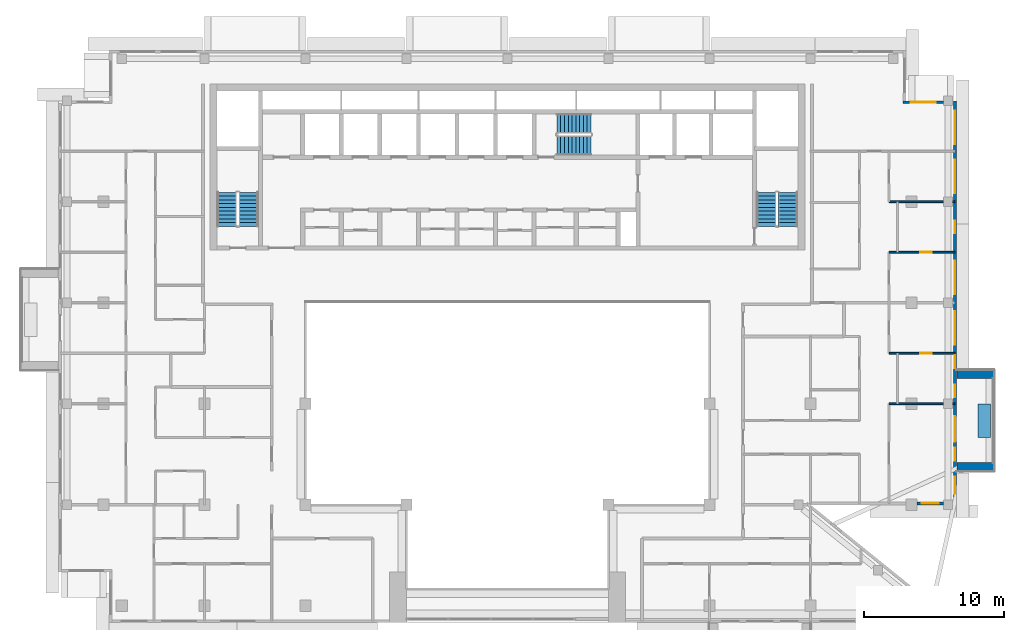
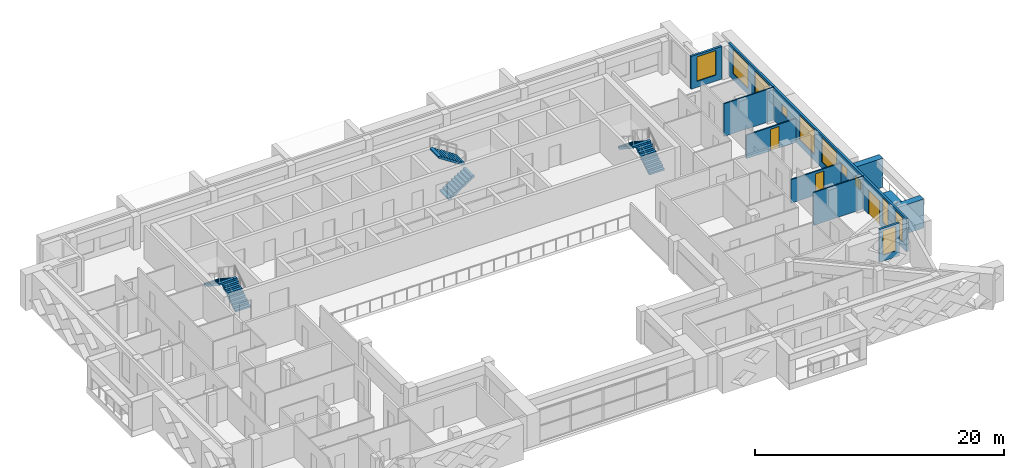
# One storey, part 12 of 19: 11 windows, 10 walls, 6 stair flights, 3 doors, 14 openings, 3 elements without a shape of their own.
"""IFC4 building model written with IfcOpenShell, lengths in metres."""

from ifc_helpers import new_model, si_unit, direction, frame, frame_2d, origin, place, context, subcontext, project, spatial, polyline, rectangle, outline, extrude, material, layer, layer_set, type_object, element, fill, aggregate, save


model = new_model("IFC4")

# Units and contexts
model_context = context("Model", 3, precision=1e-05, world=origin(), true_north=direction((0.0, 1.0)))
body_context = subcontext(model_context, "Body", "Model", "MODEL_VIEW")
ifc_project = project(units=[si_unit("LENGTHUNIT", "METRE"), si_unit("AREAUNIT", "SQUARE_METRE"), si_unit("VOLUMEUNIT", "CUBIC_METRE"), si_unit("PLANEANGLEUNIT", "RADIAN"), si_unit("MASSUNIT", "GRAM", prefix="KILO")], contexts=[model_context])

# Site, building, storey
site_placement = place(None, origin())
site = spatial("IfcSite", under=ifc_project, at=site_placement, CompositionType="ELEMENT")
building_placement = place(site_placement, origin())
building = spatial("IfcBuilding", under=site, at=building_placement, Name="Saffron Iwan Residences", CompositionType="ELEMENT")
storey_placement = place(building_placement, frame((0.0, 0.0, 232.5)))
storey = spatial("IfcBuildingStorey", under=building, at=storey_placement, Name="L62", CompositionType="ELEMENT", Elevation=232.5)

# Walls
ifc_material_1 = material(Name="Concrete C50/60 white painted", Category="concrete")
ifc_layer_1 = layer(ifc_material_1, 0.60009765625)
ifc_layer_set_1 = layer_set([ifc_layer_1], Name="Concrete C50/60 white painted")
wall_type_1 = type_object("IfcWallType", Name="BALCONY FIN 600", PredefinedType="SOLIDWALL", material=ifc_layer_set_1)
for number, where, z_axis, x_axis, name in (
    (1, (82.449951171875, 50.699951171875, 0.0), (0.0, 0.0, 1.0), (1.0, 0.0, 0.0), "Balcony fin L62 F2-0a"),
    (2, (82.449951171875, 57.300048828125, 0.0), (0.0, 0.0, 1.0), (1.0, 0.0, 0.0), "Balcony fin L62 F2-0b"),
):
    element("IfcWall", number, at=place(storey_placement, frame(where, z_axis=z_axis, x_axis=x_axis)), inside=storey, type_object=wall_type_1, Name=name, PredefinedType="SOLIDWALL", context=body_context, shape_type="SweptSolid", body=[
        extrude(rectangle(XDim=2.650146484375, YDim=0.60009765625, at=frame_2d((1.3251953125, 0.0))), origin(), (0.0, 0.0, 1.0), 2.85009765625),
    ])
ifc_material_2 = material(Name="Concrete C35/45 white painted", Category="concrete")
ifc_layer_2 = layer(ifc_material_2, 0.14990234375)
ifc_layer_set_2 = layer_set([ifc_layer_2], Name="Concrete C35/45 white painted")
wall_type_2 = type_object("IfcWallType", Name="BALCONY PLANTER", PredefinedType="SOLIDWALL", material=ifc_layer_set_2)
wall_1_placement = place(storey_placement, frame((84.375, 52.800048828125, 0.0), z_axis=(0.0, 0.0, 1.0), x_axis=(0.0, 1.0, 0.0)))
element("IfcWall", 3, at=wall_1_placement, inside=storey, type_object=wall_type_2, Name="PLANTER L62 F2-0", PredefinedType="SOLIDWALL", context=body_context, shape_type="SweptSolid", body=[
    extrude(rectangle(XDim=2.39990234375, YDim=0.89990234375, at=frame_2d((1.199951171875, 0.0))), origin(), (0.0, 0.0, 1.0), 0.89990234375),
])

# Wall, opening, window
ifc_material_3 = material(Name="Concrete C40/50", Category="concrete")
ifc_layer_3 = layer(ifc_material_3, 0.199951171875)
ifc_layer_set_3 = layer_set([ifc_layer_3], Name="Concrete C40/50")
wall_type_3 = type_object("IfcWallType", Name="EXTERNAL WALL 200", PredefinedType="SOLIDWALL", material=ifc_layer_set_3)
wall_2_placement = place(storey_placement, frame((79.60009765625, 48.10009765625, 0.0), z_axis=(0.0, 0.0, 1.0), x_axis=(1.0, 0.0, 0.0)))
wall_2 = element("IfcWall", 4, at=wall_2_placement, inside=storey, type_object=wall_type_3, Name="External wall L62 F1.1", PredefinedType="SOLIDWALL", context=body_context, shape_type="SweptSolid", body=[
    extrude(rectangle(XDim=1.875, YDim=0.199951171875, at=frame_2d((0.9375, 0.0))), origin(), (0.0, 0.0, 1.0), 3.219970703125),
])
opening_1_placement = place(wall_2_placement, frame((0.33740234375, 0.0, 0.60009765625)))
opening_1 = element("IfcOpeningElement", 5, at=opening_1_placement, cuts=wall_2, Name="Opening W3", PredefinedType="OPENING", context=body_context, shape_type="SweptSolid", body=[
    extrude(rectangle(XDim=1.199951171875, YDim=2.39990234375, at=frame_2d((0.60009765625, 1.199951171875))), frame((0.0, 0.10986328125, 0.0), z_axis=(0.0, -1.0, 0.0), x_axis=(1.0, 0.0, 0.0)), (0.0, 0.0, 1.0), 0.219970703125),
])
ifc_material_4 = material(Name="Clear glass, laminated double glazed", Category="glass")
window_type_1 = type_object("IfcWindowType", Name="WINDOW 1200 x 2400", PartitioningType="SINGLE_PANEL", PredefinedType="WINDOW", material=ifc_material_4)
window_1_placement = place(opening_1_placement, origin())
window_1 = element("IfcWindow", 6, at=window_1_placement, inside=storey, type_object=window_type_1, Name="Window L62 F1.0", OverallHeight=2.39990234375, OverallWidth=1.199951171875, PartitioningType="SINGLE_PANEL", PredefinedType="WINDOW", context=body_context, shape_type="SweptSolid", body=[
    extrude(rectangle(XDim=1.199951171875, YDim=2.39990234375, at=frame_2d((0.60009765625, 1.199951171875))), frame((0.0, 0.030029296875, 0.0), z_axis=(0.0, -1.0, 0.0), x_axis=(1.0, 0.0, 0.0)), (0.0, 0.0, 1.0), 0.06005859375),
])
fill(opening_1, window_1)

# Wall, openings, door, windows
wall_3_placement = place(storey_placement, frame((82.300048828125, 48.199951171875, 0.0), z_axis=(0.0, 0.0, 1.0), x_axis=(0.0, 1.0, 0.0)))
wall_3 = element("IfcWall", 7, at=wall_3_placement, inside=storey, type_object=wall_type_3, Name="External wall L62 F2.0", PredefinedType="SOLIDWALL", context=body_context, shape_type="SweptSolid", body=[
    extrude(rectangle(XDim=28.60009765625, YDim=0.199951171875, at=frame_2d((14.300048828125, 0.0))), origin(), (0.0, 0.0, 1.0), 3.219970703125),
])
opening_2_placement = place(wall_3_placement, frame((4.300048828125, 0.0, 0.0)))
opening_2 = element("IfcOpeningElement", 8, at=opening_2_placement, cuts=wall_3, Name="Opening BD1", PredefinedType="OPENING", context=body_context, shape_type="SweptSolid", body=[
    extrude(rectangle(XDim=1.800048828125, YDim=2.39990234375, at=frame_2d((0.89990234375, 1.199951171875))), frame((0.0, 0.10986328125, 0.0), z_axis=(0.0, -1.0, 0.0), x_axis=(1.0, 0.0, 0.0)), (0.0, 0.0, 1.0), 0.219970703125),
])
opening_3_placement = place(wall_3_placement, frame((0.60009765625, 0.0, 0.60009765625)))
opening_3 = element("IfcOpeningElement", 9, at=opening_3_placement, cuts=wall_3, Name="Opening W3", PredefinedType="OPENING", context=body_context, shape_type="SweptSolid", body=[
    extrude(rectangle(XDim=1.199951171875, YDim=2.39990234375, at=frame_2d((0.60009765625, 1.199951171875))), frame((0.0, 0.10986328125, 0.0), z_axis=(0.0, -1.0, 0.0), x_axis=(1.0, 0.0, 0.0)), (0.0, 0.0, 1.0), 0.219970703125),
])
opening_4_placement = place(wall_3_placement, frame((2.949951171875, 0.0, 0.60009765625)))
opening_4 = element("IfcOpeningElement", 10, at=opening_4_placement, cuts=wall_3, Name="Opening W10", PredefinedType="OPENING", context=body_context, shape_type="SweptSolid", body=[
    extrude(rectangle(XDim=0.89990234375, YDim=2.39990234375, at=frame_2d((0.449951171875, 1.199951171875))), frame((0.0, 0.10986328125, 0.0), z_axis=(0.0, -1.0, 0.0), x_axis=(1.0, 0.0, 0.0)), (0.0, 0.0, 1.0), 0.219970703125),
])
opening_5_placement = place(wall_3_placement, frame((11.199951171875, 0.0, 0.60009765625)))
opening_5 = element("IfcOpeningElement", 11, at=opening_5_placement, cuts=wall_3, Name="Opening W1", PredefinedType="OPENING", context=body_context, shape_type="SweptSolid", body=[
    extrude(rectangle(XDim=2.39990234375, YDim=2.39990234375, at=frame_2d((1.199951171875, 1.199951171875))), frame((0.0, 0.10986328125, 0.0), z_axis=(0.0, -1.0, 0.0), x_axis=(1.0, 0.0, 0.0)), (0.0, 0.0, 1.0), 0.219970703125),
])
opening_6_placement = place(wall_3_placement, frame((7.449951171875, 0.0, 1.5)))
opening_6 = element("IfcOpeningElement", 12, at=opening_6_placement, cuts=wall_3, Name="Opening W6", PredefinedType="OPENING", context=body_context, shape_type="SweptSolid", body=[
    extrude(rectangle(XDim=0.89990234375, YDim=0.89990234375, at=frame_2d((0.449951171875, 0.449951171875))), frame((0.0, 0.10986328125, 0.0), z_axis=(0.0, -1.0, 0.0), x_axis=(1.0, 0.0, 0.0)), (0.0, 0.0, 1.0), 0.219970703125),
])
opening_7_placement = place(wall_3_placement, frame((9.550048828125, 0.0, 1.5)))
opening_7 = element("IfcOpeningElement", 13, at=opening_7_placement, cuts=wall_3, Name="Opening W6", PredefinedType="OPENING", context=body_context, shape_type="SweptSolid", body=[
    extrude(rectangle(XDim=0.89990234375, YDim=0.89990234375, at=frame_2d((0.449951171875, 0.449951171875))), frame((0.0, 0.10986328125, 0.0), z_axis=(0.0, -1.0, 0.0), x_axis=(1.0, 0.0, 0.0)), (0.0, 0.0, 1.0), 0.219970703125),
])
opening_8_placement = place(wall_3_placement, frame((14.800048828125, 0.0, 0.60009765625)))
opening_8 = element("IfcOpeningElement", 14, at=opening_8_placement, cuts=wall_3, Name="Opening W1", PredefinedType="OPENING", context=body_context, shape_type="SweptSolid", body=[
    extrude(rectangle(XDim=2.39990234375, YDim=2.39990234375, at=frame_2d((1.199951171875, 1.199951171875))), frame((0.0, 0.10986328125, 0.0), z_axis=(0.0, -1.0, 0.0), x_axis=(1.0, 0.0, 0.0)), (0.0, 0.0, 1.0), 0.219970703125),
])
opening_9_placement = place(wall_3_placement, frame((19.14990234375, 0.0, 1.5)))
opening_9 = element("IfcOpeningElement", 15, at=opening_9_placement, cuts=wall_3, Name="Opening W6", PredefinedType="OPENING", context=body_context, shape_type="SweptSolid", body=[
    extrude(rectangle(XDim=0.89990234375, YDim=0.89990234375, at=frame_2d((0.449951171875, 0.449951171875))), frame((0.0, 0.10986328125, 0.0), z_axis=(0.0, -1.0, 0.0), x_axis=(1.0, 0.0, 0.0)), (0.0, 0.0, 1.0), 0.219970703125),
])
opening_10_placement = place(wall_3_placement, frame((22.0, 0.0, 0.60009765625)))
opening_10 = element("IfcOpeningElement", 16, at=opening_10_placement, cuts=wall_3, Name="Opening W1", PredefinedType="OPENING", context=body_context, shape_type="SweptSolid", body=[
    extrude(rectangle(XDim=2.39990234375, YDim=2.39990234375, at=frame_2d((1.199951171875, 1.199951171875))), frame((0.0, 0.10986328125, 0.0), z_axis=(0.0, -1.0, 0.0), x_axis=(1.0, 0.0, 0.0)), (0.0, 0.0, 1.0), 0.219970703125),
])
opening_11_placement = place(wall_3_placement, frame((25.5, 0.0, 0.60009765625)))
opening_11 = element("IfcOpeningElement", 17, at=opening_11_placement, cuts=wall_3, Name="Opening W1", PredefinedType="OPENING", context=body_context, shape_type="SweptSolid", body=[
    extrude(rectangle(XDim=2.39990234375, YDim=2.39990234375, at=frame_2d((1.199951171875, 1.199951171875))), frame((0.0, 0.10986328125, 0.0), z_axis=(0.0, -1.0, 0.0), x_axis=(1.0, 0.0, 0.0)), (0.0, 0.0, 1.0), 0.219970703125),
])
door_type_1 = type_object("IfcDoorType", Name="BALCONY DOOR 1800 x 2400", OperationType="DOUBLE_DOOR_SLIDING", PredefinedType="DOOR", material=ifc_material_4)
door_1_placement = place(opening_2_placement, origin())
door_1 = element("IfcDoor", 18, at=door_1_placement, inside=storey, type_object=door_type_1, Name="Balcony door L62 F2.0", OperationType="DOUBLE_DOOR_SLIDING", OverallHeight=2.39990234375, OverallWidth=1.800048828125, PredefinedType="DOOR", context=body_context, shape_type="SweptSolid", body=[
    extrude(rectangle(XDim=1.800048828125, YDim=2.39990234375, at=frame_2d((0.89990234375, 1.199951171875))), frame((0.0, 0.02490234375, 0.0), z_axis=(0.0, -1.0, 0.0), x_axis=(1.0, 0.0, 0.0)), (0.0, 0.0, 1.0), 0.050048828125),
])
fill(opening_2, door_1)
window_2_placement = place(opening_3_placement, origin())
window_2 = element("IfcWindow", 19, at=window_2_placement, inside=storey, type_object=window_type_1, Name="Window L62 F2.1", OverallHeight=2.39990234375, OverallWidth=1.199951171875, PartitioningType="SINGLE_PANEL", PredefinedType="WINDOW", context=body_context, shape_type="SweptSolid", body=[
    extrude(rectangle(XDim=1.199951171875, YDim=2.39990234375, at=frame_2d((0.60009765625, 1.199951171875))), frame((0.0, 0.030029296875, 0.0), z_axis=(0.0, -1.0, 0.0), x_axis=(1.0, 0.0, 0.0)), (0.0, 0.0, 1.0), 0.06005859375),
])
fill(opening_3, window_2)
window_type_2 = type_object("IfcWindowType", Name="WINDOW 2400 x 2400", PartitioningType="DOUBLE_PANEL_VERTICAL", PredefinedType="WINDOW", material=ifc_material_4)
window_3_placement = place(opening_5_placement, origin())
window_3 = element("IfcWindow", 20, at=window_3_placement, inside=storey, type_object=window_type_2, Name="Window L62 F2.3", OverallHeight=2.39990234375, OverallWidth=2.39990234375, PartitioningType="DOUBLE_PANEL_VERTICAL", PredefinedType="WINDOW", context=body_context, shape_type="SweptSolid", body=[
    extrude(rectangle(XDim=2.39990234375, YDim=2.39990234375, at=frame_2d((1.199951171875, 1.199951171875))), frame((0.0, 0.030029296875, 0.0), z_axis=(0.0, -1.0, 0.0), x_axis=(1.0, 0.0, 0.0)), (0.0, 0.0, 1.0), 0.06005859375),
])
fill(opening_5, window_3)
window_4_placement = place(opening_8_placement, origin())
window_4 = element("IfcWindow", 21, at=window_4_placement, inside=storey, type_object=window_type_2, Name="Window L62 F2.6", OverallHeight=2.39990234375, OverallWidth=2.39990234375, PartitioningType="DOUBLE_PANEL_VERTICAL", PredefinedType="WINDOW", context=body_context, shape_type="SweptSolid", body=[
    extrude(rectangle(XDim=2.39990234375, YDim=2.39990234375, at=frame_2d((1.199951171875, 1.199951171875))), frame((0.0, 0.030029296875, 0.0), z_axis=(0.0, -1.0, 0.0), x_axis=(1.0, 0.0, 0.0)), (0.0, 0.0, 1.0), 0.06005859375),
])
fill(opening_8, window_4)
window_5_placement = place(opening_10_placement, origin())
window_5 = element("IfcWindow", 22, at=window_5_placement, inside=storey, type_object=window_type_2, Name="Window L62 F2.8", OverallHeight=2.39990234375, OverallWidth=2.39990234375, PartitioningType="DOUBLE_PANEL_VERTICAL", PredefinedType="WINDOW", context=body_context, shape_type="SweptSolid", body=[
    extrude(rectangle(XDim=2.39990234375, YDim=2.39990234375, at=frame_2d((1.199951171875, 1.199951171875))), frame((0.0, 0.030029296875, 0.0), z_axis=(0.0, -1.0, 0.0), x_axis=(1.0, 0.0, 0.0)), (0.0, 0.0, 1.0), 0.06005859375),
])
fill(opening_10, window_5)
window_6_placement = place(opening_11_placement, origin())
window_6 = element("IfcWindow", 23, at=window_6_placement, inside=storey, type_object=window_type_2, Name="Window L62 F2.9", OverallHeight=2.39990234375, OverallWidth=2.39990234375, PartitioningType="DOUBLE_PANEL_VERTICAL", PredefinedType="WINDOW", context=body_context, shape_type="SweptSolid", body=[
    extrude(rectangle(XDim=2.39990234375, YDim=2.39990234375, at=frame_2d((1.199951171875, 1.199951171875))), frame((0.0, 0.030029296875, 0.0), z_axis=(0.0, -1.0, 0.0), x_axis=(1.0, 0.0, 0.0)), (0.0, 0.0, 1.0), 0.06005859375),
])
fill(opening_11, window_6)
window_type_3 = type_object("IfcWindowType", Name="WINDOW 900 x 2400", PartitioningType="SINGLE_PANEL", PredefinedType="WINDOW", material=ifc_material_4)
window_7_placement = place(opening_4_placement, origin())
window_7 = element("IfcWindow", 24, at=window_7_placement, inside=storey, type_object=window_type_3, Name="Window L62 F2.2", OverallHeight=2.39990234375, OverallWidth=0.89990234375, PartitioningType="SINGLE_PANEL", PredefinedType="WINDOW", context=body_context, shape_type="SweptSolid", body=[
    extrude(rectangle(XDim=0.89990234375, YDim=2.39990234375, at=frame_2d((0.449951171875, 1.199951171875))), frame((0.0, 0.030029296875, 0.0), z_axis=(0.0, -1.0, 0.0), x_axis=(1.0, 0.0, 0.0)), (0.0, 0.0, 1.0), 0.06005859375),
])
fill(opening_4, window_7)
window_type_4 = type_object("IfcWindowType", Name="WINDOW 900 x 900 BATH", PartitioningType="SINGLE_PANEL", PredefinedType="WINDOW", material=ifc_material_4)
window_8_placement = place(opening_6_placement, origin())
window_8 = element("IfcWindow", 25, at=window_8_placement, inside=storey, type_object=window_type_4, Name="Window L62 F2.4", OverallHeight=0.89990234375, OverallWidth=0.89990234375, PartitioningType="SINGLE_PANEL", PredefinedType="WINDOW", context=body_context, shape_type="SweptSolid", body=[
    extrude(rectangle(XDim=0.89990234375, YDim=0.89990234375, at=frame_2d((0.449951171875, 0.449951171875))), frame((0.0, 0.030029296875, 0.0), z_axis=(0.0, -1.0, 0.0), x_axis=(1.0, 0.0, 0.0)), (0.0, 0.0, 1.0), 0.06005859375),
])
fill(opening_6, window_8)
window_9_placement = place(opening_7_placement, origin())
window_9 = element("IfcWindow", 26, at=window_9_placement, inside=storey, type_object=window_type_4, Name="Window L62 F2.5", OverallHeight=0.89990234375, OverallWidth=0.89990234375, PartitioningType="SINGLE_PANEL", PredefinedType="WINDOW", context=body_context, shape_type="SweptSolid", body=[
    extrude(rectangle(XDim=0.89990234375, YDim=0.89990234375, at=frame_2d((0.449951171875, 0.449951171875))), frame((0.0, 0.030029296875, 0.0), z_axis=(0.0, -1.0, 0.0), x_axis=(1.0, 0.0, 0.0)), (0.0, 0.0, 1.0), 0.06005859375),
])
fill(opening_7, window_9)
window_10_placement = place(opening_9_placement, origin())
window_10 = element("IfcWindow", 27, at=window_10_placement, inside=storey, type_object=window_type_4, Name="Window L62 F2.7", OverallHeight=0.89990234375, OverallWidth=0.89990234375, PartitioningType="SINGLE_PANEL", PredefinedType="WINDOW", context=body_context, shape_type="SweptSolid", body=[
    extrude(rectangle(XDim=0.89990234375, YDim=0.89990234375, at=frame_2d((0.449951171875, 0.449951171875))), frame((0.0, 0.030029296875, 0.0), z_axis=(0.0, -1.0, 0.0), x_axis=(1.0, 0.0, 0.0)), (0.0, 0.0, 1.0), 0.06005859375),
])
fill(opening_9, window_10)

# Wall, opening, window
wall_4_placement = place(storey_placement, frame((81.47509765625, 76.699951171875, 0.0), z_axis=(0.0, 0.0, 1.0), x_axis=(-1.0, 0.0, 0.0)))
wall_4 = element("IfcWall", 28, at=wall_4_placement, inside=storey, type_object=wall_type_3, Name="External wall L62 F3.0", PredefinedType="SOLIDWALL", context=body_context, shape_type="SweptSolid", body=[
    extrude(rectangle(XDim=2.875, YDim=0.199951171875, at=frame_2d((1.4375, 0.0))), origin(), (0.0, 0.0, 1.0), 3.219970703125),
])
opening_12_placement = place(wall_4_placement, frame((0.53759765625, 0.0, 0.60009765625)))
opening_12 = element("IfcOpeningElement", 29, at=opening_12_placement, cuts=wall_4, Name="Opening W8", PredefinedType="OPENING", context=body_context, shape_type="SweptSolid", body=[
    extrude(rectangle(XDim=1.800048828125, YDim=2.39990234375, at=frame_2d((0.89990234375, 1.199951171875))), frame((0.0, 0.10986328125, 0.0), z_axis=(0.0, -1.0, 0.0), x_axis=(1.0, 0.0, 0.0)), (0.0, 0.0, 1.0), 0.219970703125),
])
window_type_5 = type_object("IfcWindowType", Name="WINDOW 1800 x 2400", PartitioningType="DOUBLE_PANEL_VERTICAL", PredefinedType="WINDOW", material=ifc_material_4)
window_11_placement = place(opening_12_placement, origin())
window_11 = element("IfcWindow", 30, at=window_11_placement, inside=storey, type_object=window_type_5, Name="Window L62 F3.0", OverallHeight=2.39990234375, OverallWidth=1.800048828125, PartitioningType="DOUBLE_PANEL_VERTICAL", PredefinedType="WINDOW", context=body_context, shape_type="SweptSolid", body=[
    extrude(rectangle(XDim=1.800048828125, YDim=2.39990234375, at=frame_2d((0.89990234375, 1.199951171875))), frame((0.0, 0.030029296875, 0.0), z_axis=(0.0, -1.0, 0.0), x_axis=(1.0, 0.0, 0.0)), (0.0, 0.0, 1.0), 0.06005859375),
])
fill(opening_12, window_11)

# Wall
ifc_material_5 = material(Name="Gypsum board partition")
ifc_layer_4 = layer(ifc_material_5, 0.1201171875)
ifc_layer_set_4 = layer_set([ifc_layer_4], Name="Gypsum board partition")
wall_type_4 = type_object("IfcWallType", Name="Flat partition 120", PredefinedType="PARTITIONING", material=ifc_layer_set_4)
wall_5_placement = place(storey_placement, frame((77.60009765625, 55.199951171875, 0.0), z_axis=(0.0, 0.0, 1.0), x_axis=(1.0, 0.0, 0.0)))
element("IfcWall", 31, at=wall_5_placement, inside=storey, type_object=wall_type_4, Name="W-L62-PART-h55.2-77.6", PredefinedType="PARTITIONING", context=body_context, shape_type="SweptSolid", body=[
    extrude(rectangle(XDim=4.6748046875, YDim=0.1201171875, at=frame_2d((2.33740234375, 0.0))), origin(), (0.0, 0.0, 1.0), 3.219970703125),
])

# Wall, opening, door
wall_6_placement = place(storey_placement, frame((77.60009765625, 58.800048828125, 0.0), z_axis=(0.0, 0.0, 1.0), x_axis=(1.0, 0.0, 0.0)))
wall_6 = element("IfcWall", 32, at=wall_6_placement, inside=storey, type_object=wall_type_4, Name="W-L62-PART-h58.8-77.6", PredefinedType="PARTITIONING", context=body_context, shape_type="SweptSolid", body=[
    extrude(rectangle(XDim=4.6748046875, YDim=0.1201171875, at=frame_2d((2.33740234375, 0.0))), origin(), (0.0, 0.0, 1.0), 2.320068359375),
])
opening_13_placement = place(wall_6_placement, frame((2.237548828125, 0.0, 0.0)))
opening_13 = element("IfcOpeningElement", 33, at=opening_13_placement, cuts=wall_6, Name="Opening FD3", PredefinedType="OPENING", context=body_context, shape_type="SweptSolid", body=[
    extrude(rectangle(XDim=0.800048828125, YDim=2.10009765625, at=frame_2d((0.39990234375, 1.050048828125))), frame((0.0, 0.070068359375, 0.0), z_axis=(0.0, -1.0, 0.0), x_axis=(1.0, 0.0, 0.0)), (0.0, 0.0, 1.0), 0.14013671875),
])
ifc_material_6 = material(Name="Timber door", Category="wood")
door_type_2 = type_object("IfcDoorType", Name="Bathroom door 800", OperationType="NOTDEFINED", PredefinedType="DOOR", material=ifc_material_6)
door_2_placement = place(opening_13_placement, origin())
door_2 = element("IfcDoor", 34, at=door_2_placement, inside=storey, type_object=door_type_2, Name="Door L62-017", OperationType="SINGLE_SWING_RIGHT", OverallHeight=2.10009765625, OverallWidth=0.800048828125, PredefinedType="DOOR", context=body_context, shape_type="SweptSolid", body=[
    extrude(rectangle(XDim=0.800048828125, YDim=2.10009765625, at=frame_2d((0.39990234375, 1.050048828125))), frame((0.0, 0.02490234375, 0.0), z_axis=(0.0, -1.0, 0.0), x_axis=(1.0, 0.0, 0.0)), (0.0, 0.0, 1.0), 0.050048828125),
])
fill(opening_13, door_2)

wall_7_placement = place(storey_placement, frame((77.60009765625, 66.0, 0.0), z_axis=(0.0, 0.0, 1.0), x_axis=(1.0, 0.0, 0.0)))
wall_7 = element("IfcWall", 35, at=wall_7_placement, inside=storey, type_object=wall_type_4, Name="W-L62-PART-h66-77.6", PredefinedType="PARTITIONING", context=body_context, shape_type="SweptSolid", body=[
    extrude(rectangle(XDim=4.6748046875, YDim=0.1201171875, at=frame_2d((2.33740234375, 0.0))), origin(), (0.0, 0.0, 1.0), 2.320068359375),
])
opening_14_placement = place(wall_7_placement, frame((2.237548828125, 0.0, 0.0)))
opening_14 = element("IfcOpeningElement", 36, at=opening_14_placement, cuts=wall_7, Name="Opening FD3", PredefinedType="OPENING", context=body_context, shape_type="SweptSolid", body=[
    extrude(rectangle(XDim=0.800048828125, YDim=2.10009765625, at=frame_2d((0.39990234375, 1.050048828125))), frame((0.0, 0.070068359375, 0.0), z_axis=(0.0, -1.0, 0.0), x_axis=(1.0, 0.0, 0.0)), (0.0, 0.0, 1.0), 0.14013671875),
])
door_3_placement = place(opening_14_placement, origin())
door_3 = element("IfcDoor", 37, at=door_3_placement, inside=storey, type_object=door_type_2, Name="Door L62-036", OperationType="SINGLE_SWING_LEFT", OverallHeight=2.10009765625, OverallWidth=0.800048828125, PredefinedType="DOOR", context=body_context, shape_type="SweptSolid", body=[
    extrude(rectangle(XDim=0.800048828125, YDim=2.10009765625, at=frame_2d((0.39990234375, 1.050048828125))), frame((0.0, 0.02490234375, 0.0), z_axis=(0.0, -1.0, 0.0), x_axis=(1.0, 0.0, 0.0)), (0.0, 0.0, 1.0), 0.050048828125),
])
fill(opening_14, door_3)

# Wall
wall_8_placement = place(storey_placement, frame((77.60009765625, 69.60009765625, 0.0), z_axis=(0.0, 0.0, 1.0), x_axis=(1.0, 0.0, 0.0)))
element("IfcWall", 38, at=wall_8_placement, inside=storey, type_object=wall_type_4, Name="W-L62-PART-h69.6-77.6", PredefinedType="PARTITIONING", context=body_context, shape_type="SweptSolid", body=[
    extrude(rectangle(XDim=4.6748046875, YDim=0.1201171875, at=frame_2d((2.33740234375, 0.0))), origin(), (0.0, 0.0, 1.0), 3.219970703125),
])

# Stair, stair flights
ifc_material_7 = material(Name="Concrete C50/60", Category="concrete")
stair_type = type_object("IfcStairType", Name="Stair ST-CORE", PredefinedType="HALF_TURN_STAIR", material=ifc_material_7)
stair_1_placement = place(storey_placement, origin())
stair_1 = element("IfcStair", 39, at=stair_1_placement, inside=storey, type_object=stair_type, Name="L62 Exit Stair ST-W", PredefinedType="HALF_TURN_STAIR")
ifc_layer_5 = layer(ifc_material_7, 0.14990234375)
ifc_layer_set_5 = layer_set([ifc_layer_5], Name="Concrete C50/60")
stair_flight_type = type_object("IfcStairFlightType", Name="Stair flight SFL-RC", PredefinedType="STRAIGHT", material=ifc_layer_set_5)
stair_flight_1_placement = place(storey_placement, frame((31.949951171875, 67.85009765625, 0.0), z_axis=(0.0, 0.0, 1.0), x_axis=(0.0, 1.0, 0.0)))
stair_flight_1 = element("IfcStairFlight", 40, at=stair_flight_1_placement, type_object=stair_flight_type, Name="ST-W flight 1", NumberOfRisers=10, NumberOfTreads=9, PredefinedType="STRAIGHT", RiserHeight=0.175, TreadLength=0.27, context=body_context, shape_type="SweptSolid", body=[
    extrude(outline(polyline([(0.0, 0.0), (0.0, 0.175048828125), (0.27001953125, 0.175048828125), (0.27001953125, 0.35009765625), (0.5400390625, 0.35009765625), (0.5400390625, 0.52490234375), (0.81005859375, 0.52490234375), (0.81005859375, 0.699951171875), (1.080078125, 0.699951171875), (1.080078125, 0.875), (1.35009765625, 0.875), (1.35009765625, 1.050048828125), (1.6201171875, 1.050048828125), (1.6201171875, 1.22509765625), (1.889892578125, 1.22509765625), (1.889892578125, 1.39990234375), (2.159912109375, 1.39990234375), (2.159912109375, 1.574951171875), (2.429931640625, 1.574951171875), (2.429931640625, 1.75), (2.429931640625, 1.396484375), (0.275634765625, 0.0), (0.0, 0.0)])), frame((0.0, 0.699951171875, 0.0), z_axis=(0.0, -1.0, 0.0), x_axis=(1.0, 0.0, 0.0)), (0.0, 0.0, 1.0), 1.39990234375),
])
stair_flight_2_placement = place(storey_placement, frame((30.39990234375, 70.280029296875, 1.75), z_axis=(0.0, 0.0, 1.0), x_axis=(0.0, -1.0, 0.0)))
stair_flight_2 = element("IfcStairFlight", 41, at=stair_flight_2_placement, type_object=stair_flight_type, Name="ST-W flight 2", NumberOfRisers=10, NumberOfTreads=9, PredefinedType="STRAIGHT", RiserHeight=0.175, TreadLength=0.27, context=body_context, shape_type="SweptSolid", body=[
    extrude(outline(polyline([(0.0, 0.0), (0.0, 0.175048828125), (0.27001953125, 0.175048828125), (0.27001953125, 0.35009765625), (0.5400390625, 0.35009765625), (0.5400390625, 0.52490234375), (0.81005859375, 0.52490234375), (0.81005859375, 0.699951171875), (1.080078125, 0.699951171875), (1.080078125, 0.875), (1.35009765625, 0.875), (1.35009765625, 1.050048828125), (1.6201171875, 1.050048828125), (1.6201171875, 1.22509765625), (1.889892578125, 1.22509765625), (1.889892578125, 1.39990234375), (2.159912109375, 1.39990234375), (2.159912109375, 1.574951171875), (2.429931640625, 1.574951171875), (2.429931640625, 1.75), (2.429931640625, 1.396484375), (0.275634765625, 0.0), (0.0, 0.0)])), frame((0.0, 0.699951171875, 0.0), z_axis=(0.0, -1.0, 0.0), x_axis=(1.0, 0.0, 0.0)), (0.0, 0.0, 1.0), 1.39990234375),
])
aggregate(stair_1, [stair_flight_1, stair_flight_2])

stair_2_placement = place(storey_placement, origin())
stair_2 = element("IfcStair", 42, at=stair_2_placement, inside=storey, type_object=stair_type, Name="L62 Exit Stair ST-C", PredefinedType="HALF_TURN_STAIR")
stair_flight_3_placement = place(storey_placement, frame((53.925048828125, 73.625, 0.0), z_axis=(0.0, 0.0, 1.0), x_axis=(1.0, 0.0, 0.0)))
stair_flight_3 = element("IfcStairFlight", 43, at=stair_flight_3_placement, type_object=stair_flight_type, Name="ST-C flight 1", NumberOfRisers=10, NumberOfTreads=9, PredefinedType="STRAIGHT", RiserHeight=0.175, TreadLength=0.27, context=body_context, shape_type="SweptSolid", body=[
    extrude(outline(polyline([(0.0, 0.0), (0.0, 0.175048828125), (0.27001953125, 0.175048828125), (0.27001953125, 0.35009765625), (0.5400390625, 0.35009765625), (0.5400390625, 0.52490234375), (0.81005859375, 0.52490234375), (0.81005859375, 0.699951171875), (1.080078125, 0.699951171875), (1.080078125, 0.875), (1.35009765625, 0.875), (1.35009765625, 1.050048828125), (1.6201171875, 1.050048828125), (1.6201171875, 1.22509765625), (1.889892578125, 1.22509765625), (1.889892578125, 1.39990234375), (2.159912109375, 1.39990234375), (2.159912109375, 1.574951171875), (2.429931640625, 1.574951171875), (2.429931640625, 1.75), (2.429931640625, 1.396484375), (0.275634765625, 0.0), (0.0, 0.0)])), frame((0.0, 0.699951171875, 0.0), z_axis=(0.0, -1.0, 0.0), x_axis=(1.0, 0.0, 0.0)), (0.0, 0.0, 1.0), 1.39990234375),
])
stair_flight_4_placement = place(storey_placement, frame((56.35498046875, 75.175048828125, 1.75), z_axis=(0.0, 0.0, 1.0), x_axis=(-1.0, 0.0, 0.0)))
stair_flight_4 = element("IfcStairFlight", 44, at=stair_flight_4_placement, type_object=stair_flight_type, Name="ST-C flight 2", NumberOfRisers=10, NumberOfTreads=9, PredefinedType="STRAIGHT", RiserHeight=0.175, TreadLength=0.27, context=body_context, shape_type="SweptSolid", body=[
    extrude(outline(polyline([(0.0, 0.0), (0.0, 0.175048828125), (0.27001953125, 0.175048828125), (0.27001953125, 0.35009765625), (0.5400390625, 0.35009765625), (0.5400390625, 0.52490234375), (0.81005859375, 0.52490234375), (0.81005859375, 0.699951171875), (1.080078125, 0.699951171875), (1.080078125, 0.875), (1.35009765625, 0.875), (1.35009765625, 1.050048828125), (1.6201171875, 1.050048828125), (1.6201171875, 1.22509765625), (1.889892578125, 1.22509765625), (1.889892578125, 1.39990234375), (2.159912109375, 1.39990234375), (2.159912109375, 1.574951171875), (2.429931640625, 1.574951171875), (2.429931640625, 1.75), (2.429931640625, 1.396484375), (0.275634765625, 0.0), (0.0, 0.0)])), frame((0.0, 0.699951171875, 0.0), z_axis=(0.0, -1.0, 0.0), x_axis=(1.0, 0.0, 0.0)), (0.0, 0.0, 1.0), 1.39990234375),
])
aggregate(stair_2, [stair_flight_3, stair_flight_4])

stair_3_placement = place(storey_placement, origin())
stair_3 = element("IfcStair", 45, at=stair_3_placement, inside=storey, type_object=stair_type, Name="L62 Exit Stair ST-E", PredefinedType="HALF_TURN_STAIR")
stair_flight_5_placement = place(storey_placement, frame((70.39990234375, 67.85009765625, 0.0), z_axis=(0.0, 0.0, 1.0), x_axis=(0.0, 1.0, 0.0)))
stair_flight_5 = element("IfcStairFlight", 46, at=stair_flight_5_placement, type_object=stair_flight_type, Name="ST-E flight 1", NumberOfRisers=10, NumberOfTreads=9, PredefinedType="STRAIGHT", RiserHeight=0.175, TreadLength=0.27, context=body_context, shape_type="SweptSolid", body=[
    extrude(outline(polyline([(0.0, 0.0), (0.0, 0.175048828125), (0.27001953125, 0.175048828125), (0.27001953125, 0.35009765625), (0.5400390625, 0.35009765625), (0.5400390625, 0.52490234375), (0.81005859375, 0.52490234375), (0.81005859375, 0.699951171875), (1.080078125, 0.699951171875), (1.080078125, 0.875), (1.35009765625, 0.875), (1.35009765625, 1.050048828125), (1.6201171875, 1.050048828125), (1.6201171875, 1.22509765625), (1.889892578125, 1.22509765625), (1.889892578125, 1.39990234375), (2.159912109375, 1.39990234375), (2.159912109375, 1.574951171875), (2.429931640625, 1.574951171875), (2.429931640625, 1.75), (2.429931640625, 1.396484375), (0.275634765625, 0.0), (0.0, 0.0)])), frame((0.0, 0.699951171875, 0.0), z_axis=(0.0, -1.0, 0.0), x_axis=(1.0, 0.0, 0.0)), (0.0, 0.0, 1.0), 1.39990234375),
])
stair_flight_6_placement = place(storey_placement, frame((68.85009765625, 70.280029296875, 1.75), z_axis=(0.0, 0.0, 1.0), x_axis=(0.0, -1.0, 0.0)))
stair_flight_6 = element("IfcStairFlight", 47, at=stair_flight_6_placement, type_object=stair_flight_type, Name="ST-E flight 2", NumberOfRisers=10, NumberOfTreads=9, PredefinedType="STRAIGHT", RiserHeight=0.175, TreadLength=0.27, context=body_context, shape_type="SweptSolid", body=[
    extrude(outline(polyline([(0.0, 0.0), (0.0, 0.175048828125), (0.27001953125, 0.175048828125), (0.27001953125, 0.35009765625), (0.5400390625, 0.35009765625), (0.5400390625, 0.52490234375), (0.81005859375, 0.52490234375), (0.81005859375, 0.699951171875), (1.080078125, 0.699951171875), (1.080078125, 0.875), (1.35009765625, 0.875), (1.35009765625, 1.050048828125), (1.6201171875, 1.050048828125), (1.6201171875, 1.22509765625), (1.889892578125, 1.22509765625), (1.889892578125, 1.39990234375), (2.159912109375, 1.39990234375), (2.159912109375, 1.574951171875), (2.429931640625, 1.574951171875), (2.429931640625, 1.75), (2.429931640625, 1.396484375), (0.275634765625, 0.0), (0.0, 0.0)])), frame((0.0, 0.699951171875, 0.0), z_axis=(0.0, -1.0, 0.0), x_axis=(1.0, 0.0, 0.0)), (0.0, 0.0, 1.0), 1.39990234375),
])
aggregate(stair_3, [stair_flight_5, stair_flight_6])

save(model, "model.ifc")
